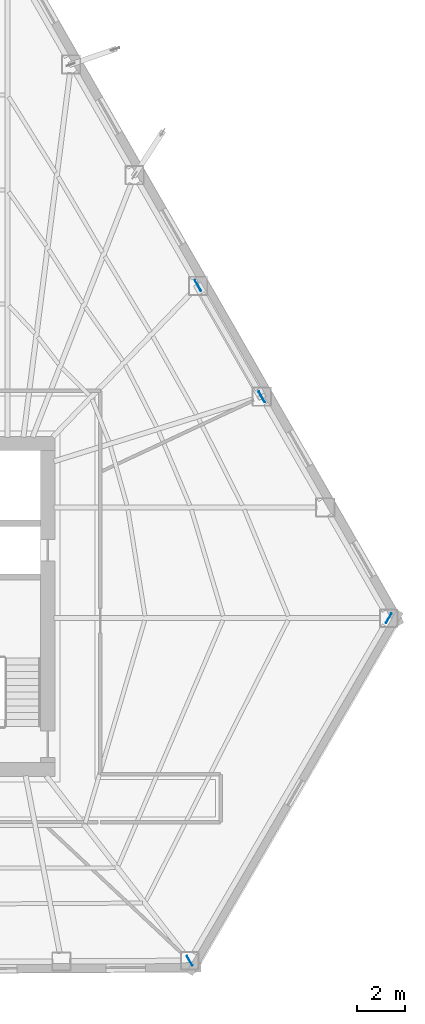
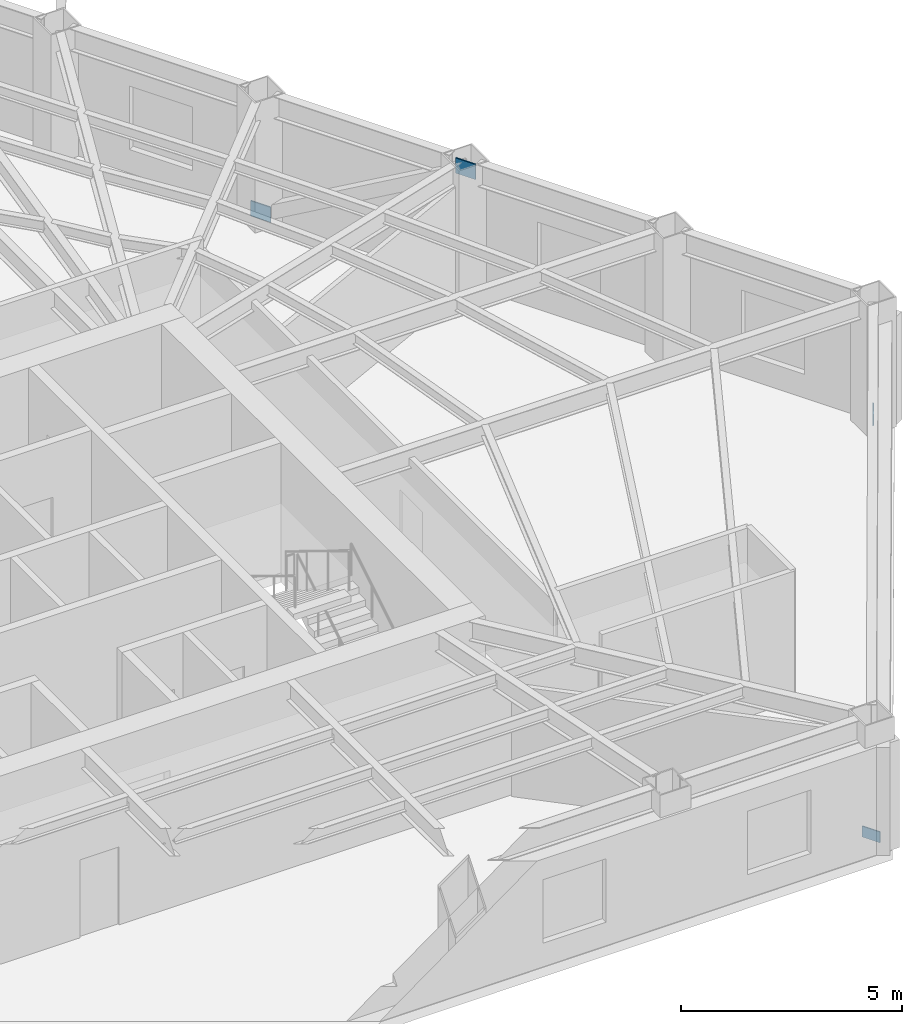
# One storey, part 6 of 12: 4 plates.
"""IFC4 building model written with IfcOpenShell, lengths in metres."""

from ifc_helpers import new_model, si_unit, direction, frame, origin, origin_2d, place, context, subcontext, project, spatial, rectangle, extrude, material, layer, layer_set, type_object, element, save


model = new_model("IFC4")

# Units and contexts
model_context = context("Model", 3, precision=1e-05, world=origin(), true_north=direction((0.0, 1.0)))
body_context = subcontext(model_context, "Body", "Model", "MODEL_VIEW")
ifc_project = project(units=[si_unit("LENGTHUNIT", "METRE"), si_unit("AREAUNIT", "SQUARE_METRE"), si_unit("VOLUMEUNIT", "CUBIC_METRE"), si_unit("PLANEANGLEUNIT", "RADIAN"), si_unit("MASSUNIT", "GRAM", prefix="KILO")], contexts=[model_context])

# Site, building, storey
site_placement = place(None, origin())
site = spatial("IfcSite", under=ifc_project, at=site_placement, CompositionType="ELEMENT")
building_placement = place(site_placement, origin())
building = spatial("IfcBuilding", under=site, at=building_placement, Name="Kavelnor Concourse Tower", CompositionType="ELEMENT")
storey_placement = place(building_placement, frame((0.0, 0.0, 6.0)))
storey = spatial("IfcBuildingStorey", under=building, at=storey_placement, Name="L01", CompositionType="ELEMENT", Elevation=6.0)

# Plates
ifc_material = material(Name="Steel Grade 350", Category="steel")
ifc_layer_1 = layer(ifc_material, 0.028076171875, Name="Steel Grade 350")
ifc_layer_set_1 = layer_set([ifc_layer_1], Name="Steel Grade 350")
plate_type_1 = type_object("IfcPlateType", Name="PL-GUSSET-FOLD", PredefinedType="USERDEFINED", material=ifc_layer_set_1)
for number, where, z_axis, x_axis, name in (
    (1, (53.74560546875, 1.317626953125, 0.10009765625), (0.0, 0.0, 1.0), (-0.5, 0.866025403784, 0.0), "L01 Herringbone Corner-Fold Kink Gusset Plate F1-B6"),
    (2, (62.05078125, 15.61328125, 0.10009765625), (0.0, 0.0, 1.0), (-0.5, -0.866025403784, 0.0), "L01 Herringbone Corner-Fold Kink Gusset Plate F2-B0"),
):
    element("IfcPlate", number, at=place(storey_placement, frame(where, z_axis=z_axis, x_axis=x_axis)), inside=storey, type_object=plate_type_1, Name=name, ObjectType="GUSSET_PLATE", PredefinedType="USERDEFINED", context=body_context, shape_type="SweptSolid", body=[
        extrude(rectangle(XDim=0.4599609375, YDim=0.028076171875, at=origin_2d()), origin(), (0.0, 0.0, 1.0), 0.300048828125),
    ])
ifc_layer_2 = layer(ifc_material, 0.031982421875, Name="Steel Grade 350")
ifc_layer_set_2 = layer_set([ifc_layer_2], Name="Steel Grade 350")
plate_type_2 = type_object("IfcPlateType", Name="PL-GUSSET-TUBE-Z1", PredefinedType="USERDEFINED", material=ifc_layer_set_2)
for number, where, z_axis, x_axis, name in (
    (3, (54.091796875, 29.486328125, 0.010009765625), (0.0, 0.0, 1.0), (0.497579654441, -0.867418288651, 0.0), "L01 Tube Brace Gusset GP3 F2-B2 End Gusset A"),
    (4, (56.7548828125, 24.844482421875, 3.073974609375), (0.0, 0.0, 1.0), (0.497579654441, -0.867418288651, 0.0), "L01 Tube Brace Gusset GP3 F2-B2 End Gusset B"),
):
    element("IfcPlate", number, at=place(storey_placement, frame(where, z_axis=z_axis, x_axis=x_axis)), inside=storey, type_object=plate_type_2, Name=name, ObjectType="GUSSET_PLATE", PredefinedType="USERDEFINED", context=body_context, shape_type="SweptSolid", body=[
        extrude(rectangle(XDim=0.52001953125, YDim=0.031982421875, at=origin_2d()), origin(), (0.0, 0.0, 1.0), 0.419921875),
    ])

save(model, "model.ifc")
